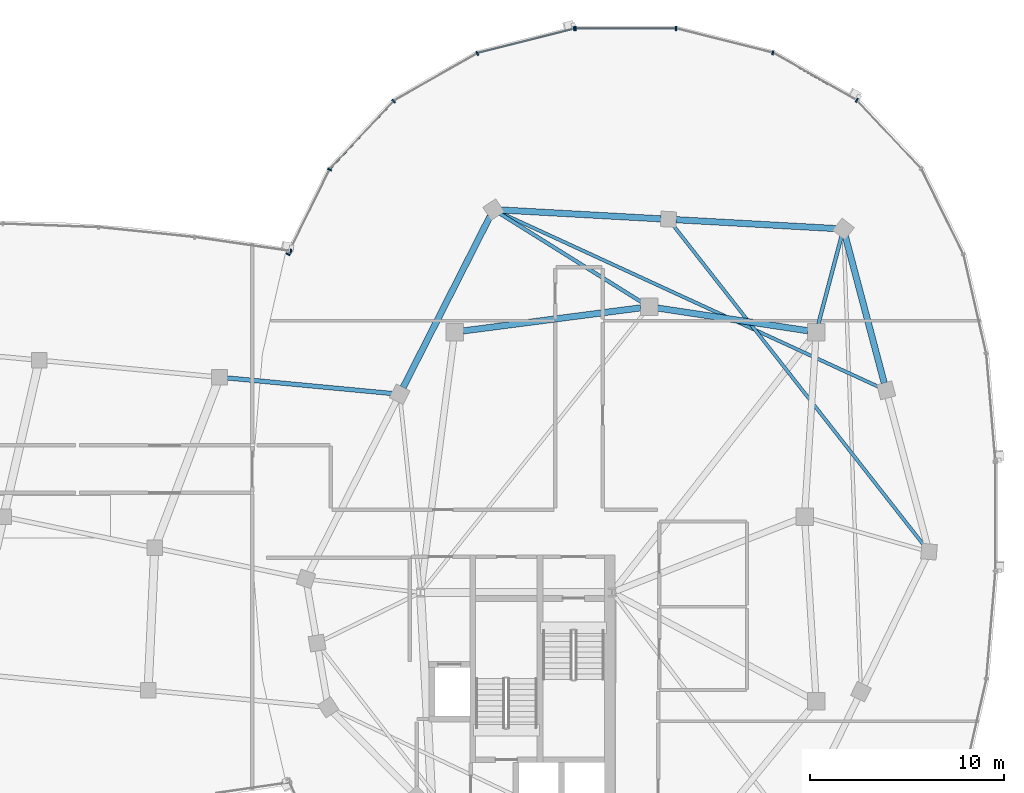
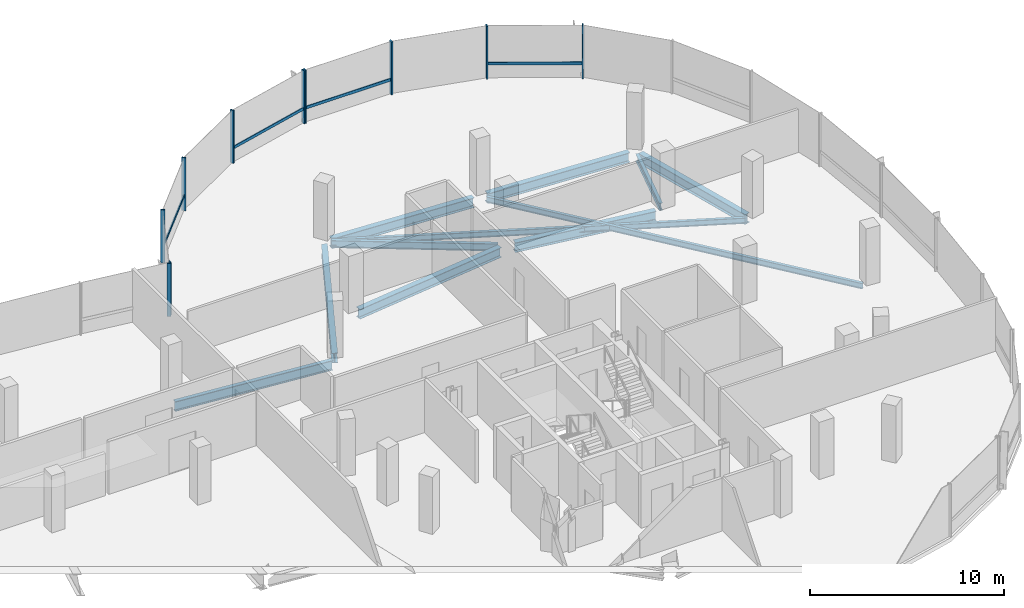
# One storey, part 10 of 25: 14 members, 11 beams, 3 elements without a shape of their own.
"""IFC4 building model written with IfcOpenShell, lengths in metres."""

from ifc_helpers import new_model, si_unit, direction, frame, origin, origin_2d, place, context, subcontext, project, spatial, rectangle, i_section, extrude, material, material_profile, profile_set, type_object, element, aggregate, save


model = new_model("IFC4")

# Units and contexts
model_context = context("Model", 3, precision=1e-05, world=origin(), true_north=direction((0.0, 1.0)))
body_context = subcontext(model_context, "Body", "Model", "MODEL_VIEW")
ifc_project = project(units=[si_unit("LENGTHUNIT", "METRE"), si_unit("AREAUNIT", "SQUARE_METRE"), si_unit("VOLUMEUNIT", "CUBIC_METRE"), si_unit("PLANEANGLEUNIT", "RADIAN"), si_unit("MASSUNIT", "GRAM", prefix="KILO"), si_unit("THERMODYNAMICTEMPERATUREUNIT", "KELVIN"), si_unit("POWERUNIT", "WATT")], contexts=[model_context])

# Site, building, storey
site_placement = place(None, origin())
site = spatial("IfcSite", under=ifc_project, at=site_placement, CompositionType="ELEMENT")
building_placement = place(site_placement, origin())
building = spatial("IfcBuilding", under=site, at=building_placement, Name="Cundina Bronze Exchange", CompositionType="ELEMENT")
storey_placement = place(building_placement, frame((0.0, 0.0, 254.0)))
storey = spatial("IfcBuildingStorey", under=building, at=storey_placement, Name="L67", CompositionType="ELEMENT", Elevation=254.0)

# Beams
ifc_material_1 = material(Name="Steel ASTM A992 Grade 50", Category="steel")
ifc_material_profile_1 = material_profile(ifc_material_1, i_section(OverallWidth=0.19091796875, OverallDepth=0.4599609375, WebThickness=0.010009765625, FlangeThickness=0.01611328125, FilletRadius=0.011962890625, at=origin_2d()), Name="W18X55", Category="steel")
ifc_profile_set_1 = profile_set([ifc_material_profile_1], Name="Steel ASTM A992 Grade 50")
beam_type_1 = type_object("IfcBeamType", Name="BM-FLR-W18B", PredefinedType="BEAM", material=ifc_profile_set_1)
beam_1_placement = place(storey_placement, frame((41.911865234375, 9.923583984375, -0.489990234375), z_axis=(0.255383723615, 0.96683977665, 0.0), x_axis=(-0.96683977665, 0.255383723615, 0.0)))
element("IfcBeam", 1, at=beam_1_placement, inside=storey, type_object=beam_type_1, Name="L67 Leg E Chordal Floor Beam 10", PredefinedType="BEAM", context=body_context, shape_type="SweptSolid", body=[
    extrude(i_section(OverallWidth=0.19091796875, OverallDepth=0.4599609375, WebThickness=0.010009765625, FlangeThickness=0.01611328125, FilletRadius=0.011962890625, at=origin_2d()), origin(), (0.0, 0.0, 1.0), 4.655517578125),
])
beam_2_placement = place(storey_placement, frame((32.82861328125, 11.031982421875, -0.489990234375), z_axis=(-0.847983963552, 0.530021884038, 0.0), x_axis=(-0.530021884038, -0.847983963552, 0.0)))
element("IfcBeam", 2, at=beam_2_placement, inside=storey, type_object=beam_type_1, Name="L67 Leg E Chordal Floor Beam 12", PredefinedType="BEAM", context=body_context, shape_type="SweptSolid", body=[
    extrude(i_section(OverallWidth=0.19091796875, OverallDepth=0.4599609375, WebThickness=0.010009765625, FlangeThickness=0.01611328125, FilletRadius=0.011962890625, at=origin_2d()), origin(), (0.0, 0.0, 1.0), 8.608154296875),
])
ifc_material_profile_2 = material_profile(ifc_material_1, i_section(OverallWidth=0.22998046875, OverallDepth=0.616943359375, WebThickness=0.01318359375, FlangeThickness=0.022216796875, FilletRadius=0.013916015625, at=origin_2d()), Name="W24X94", Category="steel")
ifc_profile_set_2 = profile_set([ifc_material_profile_2], Name="Steel ASTM A992 Grade 50")
beam_type_2 = type_object("IfcBeamType", Name="BM-FLR-W24B", PredefinedType="BEAM", material=ifc_profile_set_2)
beam_3_placement = place(storey_placement, frame((11.285400390625, 7.158203125, -0.62841796875), z_axis=(0.995572136276, -0.094000646124, 0.0), x_axis=(0.094000646124, 0.995572136276, 0.0)))
element("IfcBeam", 3, at=beam_3_placement, inside=storey, type_object=beam_type_2, Name="L67 Sky-Gate Longitudinal Girder Y3-P4", PredefinedType="BEAM", context=body_context, shape_type="SweptSolid", body=[
    extrude(i_section(OverallWidth=0.22998046875, OverallDepth=0.616943359375, WebThickness=0.01318359375, FlangeThickness=0.022216796875, FilletRadius=0.013916015625, at=origin_2d()), origin(), (0.0, 0.0, 1.0), 8.949951171875),
])
ifc_material_profile_3 = material_profile(ifc_material_1, i_section(OverallWidth=0.172119140625, OverallDepth=0.35791015625, WebThickness=0.0078125, FlangeThickness=0.01318359375, FilletRadius=0.010009765625, at=origin_2d()), Name="W14X38", Category="steel")
ifc_profile_set_3 = profile_set([ifc_material_profile_3], Name="Steel ASTM A992 Grade 50")
beam_type_3 = type_object("IfcBeamType", Name="BM-JST-W14", PredefinedType="JOIST", material=ifc_profile_set_3)
beam_4_placement = place(storey_placement, frame((47.360595703125, -1.49462890625, -0.43896484375), z_axis=(-0.616804005008, 0.78711677622, 0.0), x_axis=(-0.78711677622, -0.616804005008, 0.0)))
element("IfcBeam", 4, at=beam_4_placement, inside=storey, type_object=beam_type_3, Name="L67 Leg E Lobe Floor Joist 08-11", PredefinedType="JOIST", context=body_context, shape_type="SweptSolid", body=[
    extrude(i_section(OverallWidth=0.172119140625, OverallDepth=0.35791015625, WebThickness=0.0078125, FlangeThickness=0.01318359375, FilletRadius=0.010009765625, at=origin_2d()), origin(), (0.0, 0.0, 1.0), 20.948974609375),
])
beam_5_placement = place(storey_placement, frame((45.047607421875, 6.662353515625, -0.43896484375), z_axis=(-0.908356175703, 0.418197391266, 0.0), x_axis=(-0.418197391266, -0.908356175703, 0.0)))
element("IfcBeam", 5, at=beam_5_placement, inside=storey, type_object=beam_type_3, Name="L67 Leg E Lobe Floor Joist 09-12", PredefinedType="JOIST", context=body_context, shape_type="SweptSolid", body=[
    extrude(i_section(OverallWidth=0.172119140625, OverallDepth=0.35791015625, WebThickness=0.0078125, FlangeThickness=0.01318359375, FilletRadius=0.010009765625, at=origin_2d()), origin(), (0.0, 0.0, 1.0), 21.4619140625),
])
ifc_material_profile_4 = material_profile(ifc_material_1, i_section(OverallWidth=0.324951171875, OverallDepth=0.615966796875, WebThickness=0.013916015625, FlangeThickness=0.021484375, FilletRadius=0.01611328125, at=origin_2d()), Name="W24X117", Category="steel")
ifc_profile_set_4 = profile_set([ifc_material_profile_4], Name="Steel ASTM A992 Grade 50")
beam_type_4 = type_object("IfcBeamType", Name="BM-RING-W24", PredefinedType="USERDEFINED", material=ifc_profile_set_4)
beam_6_placement = place(storey_placement, frame((41.366943359375, 9.5654296875, -0.568115234375), z_axis=(-0.988764903598, 0.149478979839, 0.0), x_axis=(-0.149478979839, -0.988764903598, 0.0)))
element("IfcBeam", 6, at=beam_6_placement, inside=storey, type_object=beam_type_4, Name="L67 E Inner Structural Ring Girder 05", ObjectType="GIRDER", PredefinedType="USERDEFINED", context=body_context, shape_type="SweptSolid", body=[
    extrude(i_section(OverallWidth=0.324951171875, OverallDepth=0.615966796875, WebThickness=0.013916015625, FlangeThickness=0.021484375, FilletRadius=0.01611328125, at=origin_2d()), origin(), (0.0, 0.0, 1.0), 7.82177734375),
])
beam_7_placement = place(storey_placement, frame((32.765625, 10.743408203125, -0.568115234375), z_axis=(-0.991656498582, -0.128908451316, 0.0), x_axis=(0.128908451316, -0.991656498582, 0.0)))
element("IfcBeam", 7, at=beam_7_placement, inside=storey, type_object=beam_type_4, Name="L67 E Inner Structural Ring Girder 06", ObjectType="GIRDER", PredefinedType="USERDEFINED", context=body_context, shape_type="SweptSolid", body=[
    extrude(i_section(OverallWidth=0.324951171875, OverallDepth=0.615966796875, WebThickness=0.013916015625, FlangeThickness=0.021484375, FilletRadius=0.01611328125, at=origin_2d()), origin(), (0.0, 0.0, 1.0), 9.208251953125),
])
beam_8_placement = place(storey_placement, frame((45.300537109375, 6.875, -0.568115234375), z_axis=(-0.256212999207, 0.966620348967, 0.0), x_axis=(-0.966620348967, -0.256212999207, 0.0)))
element("IfcBeam", 8, at=beam_8_placement, inside=storey, type_object=beam_type_4, Name="L67 E Perimeter Ring Girder 09", ObjectType="GIRDER", PredefinedType="USERDEFINED", context=body_context, shape_type="SweptSolid", body=[
    extrude(i_section(OverallWidth=0.324951171875, OverallDepth=0.615966796875, WebThickness=0.013916015625, FlangeThickness=0.021484375, FilletRadius=0.01611328125, at=origin_2d()), origin(), (0.0, 0.0, 1.0), 7.810791015625),
])
for number, where, z_axis, x_axis, name in (
    (9, (42.8125, 14.821533203125, -0.568115234375), (-0.998459806018, 0.055479868117, 0.0), (-0.055479868117, -0.998459806018, 0.0), "L67 E Perimeter Ring Girder 10"),
    (10, (33.8125, 15.321533203125, -0.568115234375), (-0.998459806018, 0.055479868117, 0.0), (-0.055479868117, -0.998459806018, 0.0), "L67 E Perimeter Ring Girder 11"),
):
    element("IfcBeam", number, at=place(storey_placement, frame(where, z_axis=z_axis, x_axis=x_axis)), inside=storey, type_object=beam_type_4, Name=name, ObjectType="GIRDER", PredefinedType="USERDEFINED", context=body_context, shape_type="SweptSolid", body=[
        extrude(i_section(OverallWidth=0.324951171875, OverallDepth=0.615966796875, WebThickness=0.013916015625, FlangeThickness=0.021484375, FilletRadius=0.01611328125, at=origin_2d()), origin(), (0.0, 0.0, 1.0), 8.23779296875),
    ])
beam_9_placement = place(storey_placement, frame((25.0244140625, 15.4541015625, -0.568115234375), z_axis=(-0.452839263805, -0.891592171991, 0.0), x_axis=(0.891592171991, -0.452839263805, 0.0)))
element("IfcBeam", 11, at=beam_9_placement, inside=storey, type_object=beam_type_4, Name="L67 E Perimeter Ring Girder 12", ObjectType="GIRDER", PredefinedType="USERDEFINED", context=body_context, shape_type="SweptSolid", body=[
    extrude(i_section(OverallWidth=0.324951171875, OverallDepth=0.615966796875, WebThickness=0.013916015625, FlangeThickness=0.021484375, FilletRadius=0.01611328125, at=origin_2d()), origin(), (0.0, 0.0, 1.0), 9.879150390625),
])

# Curtain wall, members
ifc_material_2 = material(Name="Anodised Bronze Aluminium 6063-T6", Category="aluminium")
curtain_wall_type = type_object("IfcCurtainWallType", Name="CWS-SKG-BRG", PredefinedType="NOTDEFINED", material=ifc_material_2)
curtain_wall_1_placement = place(storey_placement, origin())
curtain_wall_1 = element("IfcCurtainWall", 12, at=curtain_wall_1_placement, inside=storey, type_object=curtain_wall_type, Name="L67 CW-06 Curtain Wall Run CWR-L67-E1", PredefinedType="NOTDEFINED")
ifc_material_profile_5 = material_profile(ifc_material_2, rectangle(XDim=0.074951171875, YDim=0.219970703125, at=origin_2d()), Name="AL75X220", Category="aluminium")
ifc_profile_set_5 = profile_set([ifc_material_profile_5], Name="Anodised Bronze Aluminium 6063-T6")
member_type_1 = type_object("IfcMemberType", Name="CWM-MUL-220", PredefinedType="MULLION", material=ifc_profile_set_5)
member_1_placement = place(storey_placement, frame((43.88916015625, 21.419921875, 0.0), z_axis=(0.0, 0.0, 1.0), x_axis=(-0.86958112538, 0.493790103568, 0.0)))
member_1 = element("IfcMember", 13, at=member_1_placement, type_object=member_type_1, Name="CW-06 Mullion 5", PredefinedType="MULLION", context=body_context, shape_type="SweptSolid", body=[
    extrude(rectangle(XDim=0.074951171875, YDim=0.219970703125, at=origin_2d()), origin(), (0.0, 0.0, 1.0), 3.340087890625),
])
member_2_placement = place(storey_placement, frame((39.5703125, 23.86181640625, 0.0), z_axis=(0.0, 0.0, 1.0), x_axis=(-0.969744325821, 0.244122802168, 0.0)))
member_2 = element("IfcMember", 14, at=member_2_placement, type_object=member_type_1, Name="CW-06 Mullion 6", PredefinedType="MULLION", context=body_context, shape_type="SweptSolid", body=[
    extrude(rectangle(XDim=0.074951171875, YDim=0.219970703125, at=origin_2d()), origin(), (0.0, 0.0, 1.0), 3.340087890625),
])
member_3_placement = place(storey_placement, frame((34.576416015625, 25.110107421875, 0.0), z_axis=(0.0, 0.0, 1.0), x_axis=(-1.0, 0.0, 0.0)))
member_3 = element("IfcMember", 15, at=member_3_placement, type_object=member_type_1, Name="CW-06 Mullion 7", PredefinedType="MULLION", context=body_context, shape_type="SweptSolid", body=[
    extrude(rectangle(XDim=0.074951171875, YDim=0.219970703125, at=origin_2d()), origin(), (0.0, 0.0, 1.0), 3.340087890625),
])
member_4_placement = place(storey_placement, frame((29.423583984375, 25.110107421875, 0.0), z_axis=(0.0, 0.0, 1.0), x_axis=(-1.0, 0.0, 0.0)))
member_4 = element("IfcMember", 16, at=member_4_placement, type_object=member_type_1, Name="CW-06 End Mullion", PredefinedType="MULLION", context=body_context, shape_type="SweptSolid", body=[
    extrude(rectangle(XDim=0.074951171875, YDim=0.219970703125, at=origin_2d()), origin(), (0.0, 0.0, 1.0), 3.340087890625),
])

curtain_wall_2_placement = place(storey_placement, origin())
curtain_wall_2 = element("IfcCurtainWall", 17, at=curtain_wall_2_placement, inside=storey, type_object=curtain_wall_type, Name="L67 CW-06 Curtain Wall Run CWR-L67-E2", PredefinedType="NOTDEFINED")
member_5_placement = place(storey_placement, frame((29.351806640625, 25.10107421875, 0.0), z_axis=(0.0, 0.0, 1.0), x_axis=(-0.969744325821, -0.244122802168, 0.0)))
member_5 = element("IfcMember", 18, at=member_5_placement, type_object=member_type_1, Name="CW-06 Mullion 1", PredefinedType="MULLION", context=body_context, shape_type="SweptSolid", body=[
    extrude(rectangle(XDim=0.074951171875, YDim=0.219970703125, at=origin_2d()), origin(), (0.0, 0.0, 1.0), 3.340087890625),
])
member_6_placement = place(storey_placement, frame((24.365478515625, 23.8359375, 0.0), z_axis=(0.0, 0.0, 1.0), x_axis=(-0.86958112538, -0.493790103568, 0.0)))
member_6 = element("IfcMember", 19, at=member_6_placement, type_object=member_type_1, Name="CW-06 Mullion 2", PredefinedType="MULLION", context=body_context, shape_type="SweptSolid", body=[
    extrude(rectangle(XDim=0.074951171875, YDim=0.219970703125, at=origin_2d()), origin(), (0.0, 0.0, 1.0), 3.340087890625),
])
member_7_placement = place(storey_placement, frame((20.059814453125, 21.3798828125, 0.0), z_axis=(0.0, 0.0, 1.0), x_axis=(-0.684292606175, -0.729207535023, 0.0)))
member_7 = element("IfcMember", 20, at=member_7_placement, type_object=member_type_1, Name="CW-06 Mullion 3", PredefinedType="MULLION", context=body_context, shape_type="SweptSolid", body=[
    extrude(rectangle(XDim=0.074951171875, YDim=0.219970703125, at=origin_2d()), origin(), (0.0, 0.0, 1.0), 3.340087890625),
])
member_8_placement = place(storey_placement, frame((16.7666015625, 17.856689453125, 0.0), z_axis=(0.0, 0.0, 1.0), x_axis=(-0.440566004113, -0.897720221461, 0.0)))
member_8 = element("IfcMember", 21, at=member_8_placement, type_object=member_type_1, Name="CW-06 Mullion 4", PredefinedType="MULLION", context=body_context, shape_type="SweptSolid", body=[
    extrude(rectangle(XDim=0.074951171875, YDim=0.219970703125, at=origin_2d()), origin(), (0.0, 0.0, 1.0), 3.340087890625),
])
member_9_placement = place(storey_placement, frame((14.630859375, 13.50390625, 0.0), z_axis=(0.0, 0.0, 1.0), x_axis=(-0.440566004113, -0.897720221461, 0.0)))
member_9 = element("IfcMember", 22, at=member_9_placement, type_object=member_type_1, Name="CW-06 End Mullion", PredefinedType="MULLION", context=body_context, shape_type="SweptSolid", body=[
    extrude(rectangle(XDim=0.074951171875, YDim=0.219970703125, at=origin_2d()), origin(), (0.0, 0.0, 1.0), 3.340087890625),
])

# Curtain wall, member
curtain_wall_3_placement = place(storey_placement, origin())
curtain_wall_3 = element("IfcCurtainWall", 23, at=curtain_wall_3_placement, inside=storey, type_object=curtain_wall_type, Name="L67 CW-06 Curtain Wall Run CWR-L67-BRGN", PredefinedType="NOTDEFINED")
member_10_placement = place(storey_placement, frame((14.779296875, 13.658935546875, 0.0), z_axis=(0.0, 0.0, 1.0), x_axis=(-0.989525789069, 0.144356201001, 0.0)))
member_10 = element("IfcMember", 24, at=member_10_placement, type_object=member_type_1, Name="CW-06 Mullion 1", PredefinedType="MULLION", context=body_context, shape_type="SweptSolid", body=[
    extrude(rectangle(XDim=0.074951171875, YDim=0.219970703125, at=origin_2d()), origin(), (0.0, 0.0, 1.0), 3.280029296875),
])
aggregate(curtain_wall_3, [member_10])

# Member
ifc_material_profile_6 = material_profile(ifc_material_2, rectangle(XDim=0.070068359375, YDim=0.179931640625, at=origin_2d()), Name="AL70X180", Category="aluminium")
ifc_profile_set_6 = profile_set([ifc_material_profile_6], Name="Anodised Bronze Aluminium 6063-T6")
member_type_2 = type_object("IfcMemberType", Name="CWM-TRN-180", PredefinedType="USERDEFINED", material=ifc_profile_set_6)
member_11_placement = place(storey_placement, frame((43.853271484375, 21.440185546875, 0.919921875), z_axis=(-0.869557366176, 0.493831941989, 0.0), x_axis=(-0.493831941989, -0.869557366176, 0.0)))
member_11 = element("IfcMember", 25, at=member_11_placement, type_object=member_type_2, Name="CW-06 Spandrel Transom 5", ObjectType="TRANSOM", PredefinedType="USERDEFINED", context=body_context, shape_type="SweptSolid", body=[
    extrude(rectangle(XDim=0.070068359375, YDim=0.179931640625, at=origin_2d()), origin(), (0.0, 0.0, 1.0), 4.892822265625),
])

member_12_placement = place(storey_placement, frame((34.53515625, 25.110107421875, 0.919921875), z_axis=(-1.0, 0.0, 0.0), x_axis=(0.0, -1.0, 0.0)))
member_12 = element("IfcMember", 26, at=member_12_placement, type_object=member_type_2, Name="CW-06 Spandrel Transom 7", ObjectType="TRANSOM", PredefinedType="USERDEFINED", context=body_context, shape_type="SweptSolid", body=[
    extrude(rectangle(XDim=0.070068359375, YDim=0.179931640625, at=origin_2d()), origin(), (0.0, 0.0, 1.0), 5.070556640625),
])

aggregate(curtain_wall_1, [member_1, member_11, member_2, member_3, member_4, member_12])

member_13_placement = place(storey_placement, frame((29.311767578125, 25.091064453125, 0.919921875), z_axis=(-0.969736547481, -0.244153698478, 0.0), x_axis=(0.244153698478, -0.969736547481, 0.0)))
member_13 = element("IfcMember", 27, at=member_13_placement, type_object=member_type_2, Name="CW-06 Spandrel Transom 1", ObjectType="TRANSOM", PredefinedType="USERDEFINED", context=body_context, shape_type="SweptSolid", body=[
    extrude(rectangle(XDim=0.070068359375, YDim=0.179931640625, at=origin_2d()), origin(), (0.0, 0.0, 1.0), 5.07568359375),
])

member_14_placement = place(storey_placement, frame((20.031494140625, 21.349609375, 0.919921875), z_axis=(-0.684328474899, -0.729173873944, 0.0), x_axis=(0.729173873944, -0.684328474899, 0.0)))
member_14 = element("IfcMember", 28, at=member_14_placement, type_object=member_type_2, Name="CW-06 Spandrel Transom 3", ObjectType="TRANSOM", PredefinedType="USERDEFINED", context=body_context, shape_type="SweptSolid", body=[
    extrude(rectangle(XDim=0.070068359375, YDim=0.179931640625, at=origin_2d()), origin(), (0.0, 0.0, 1.0), 4.758056640625),
])

aggregate(curtain_wall_2, [member_5, member_13, member_6, member_7, member_14, member_8, member_9])

save(model, "model.ifc")
